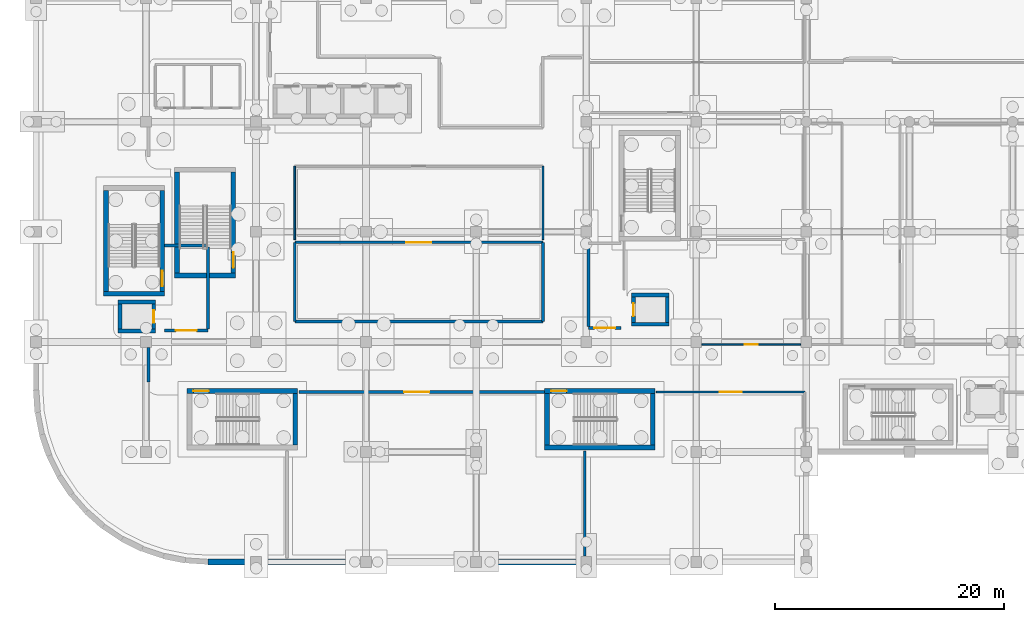
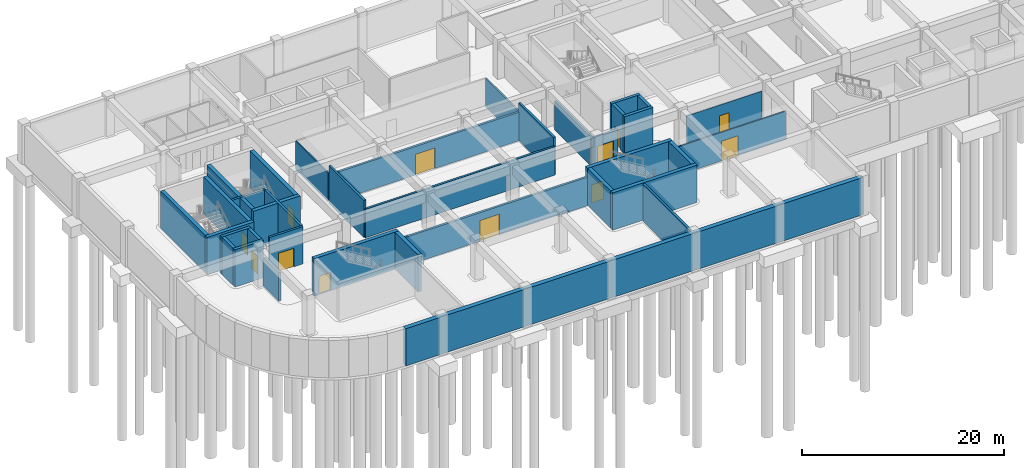
# One storey, part 13 of 47: 37 walls, 12 doors, 12 openings.
"""IFC4 building model written with IfcOpenShell, lengths in metres."""

from ifc_helpers import new_model, si_unit, direction, frame, frame_2d, origin, place, context, subcontext, project, spatial, rectangle, extrude, material, layer, layer_set, type_object, element, fill, save


model = new_model("IFC4")

# Units and contexts
model_context = context("Model", 3, precision=1e-05, world=origin(), true_north=direction((0.0, 1.0)))
body_context = subcontext(model_context, "Body", "Model", "MODEL_VIEW")
ifc_project = project(units=[si_unit("LENGTHUNIT", "METRE"), si_unit("AREAUNIT", "SQUARE_METRE"), si_unit("VOLUMEUNIT", "CUBIC_METRE"), si_unit("PLANEANGLEUNIT", "RADIAN"), si_unit("MASSUNIT", "GRAM", prefix="KILO")], contexts=[model_context])

# Site, building, storey
site_placement = place(None, origin())
site = spatial("IfcSite", under=ifc_project, at=site_placement, CompositionType="ELEMENT")
building_placement = place(site_placement, origin())
building = spatial("IfcBuilding", under=site, at=building_placement, Name="Cendralis Terraced Arcade", CompositionType="ELEMENT")
storey_placement = place(building_placement, frame((0.0, 0.0, -4.800048828125)))
storey = spatial("IfcBuildingStorey", under=building, at=storey_placement, Name="B1", CompositionType="ELEMENT", Elevation=-4.800048828125)

# Walls
ifc_material_1 = material(Name="Concrete f'c 42 MPa", Category="concrete")
ifc_layer_1 = layer(ifc_material_1, 0.340087890625, Name="WL-CORE-340")
ifc_layer_set_1 = layer_set([ifc_layer_1], Name="Concrete f'c 42 MPa")
wall_type_1 = type_object("IfcWallType", Name="WL-CORE-340", PredefinedType="SHEAR", material=ifc_layer_set_1)
for number, where, z_axis, x_axis, name in (
    (1, (7.159912109375, 20.1298828125, 0.0), (0.0, 0.0, 1.0), (1.0, 0.0, 0.0), "Lift FFL-01 Reinforced Concrete Shaft Wall (B1)"),
    (2, (7.159912109375, 22.669921875, 0.0), (0.0, 0.0, 1.0), (1.0, 0.0, 0.0), "Lift FFL-01 Reinforced Concrete Shaft Wall (B1)"),
):
    element("IfcWall", number, at=place(storey_placement, frame(where, z_axis=z_axis, x_axis=x_axis)), inside=storey, type_object=wall_type_1, Name=name, PredefinedType="SHEAR", context=body_context, shape_type="SweptSolid", body=[
        extrude(rectangle(XDim=3.280029296875, YDim=0.340087890625, at=frame_2d((1.64013671875, 0.0))), origin(), (0.0, 0.0, 1.0), 4.5),
    ])
wall_1_placement = place(storey_placement, frame((7.330078125, 20.300048828125, 0.0), z_axis=(0.0, 0.0, 1.0), x_axis=(0.0, 1.0, 0.0)))
element("IfcWall", 3, at=wall_1_placement, inside=storey, type_object=wall_type_1, Name="Lift FFL-01 Reinforced Concrete Shaft Wall (B1)", PredefinedType="SHEAR", context=body_context, shape_type="SweptSolid", body=[
    extrude(rectangle(XDim=2.199951171875, YDim=0.340087890625, at=frame_2d((1.10009765625, 0.0))), origin(), (0.0, 0.0, 1.0), 4.5),
])

# Wall, opening, door
wall_2_placement = place(storey_placement, frame((10.27001953125, 20.300048828125, 0.0), z_axis=(0.0, 0.0, 1.0), x_axis=(0.0, 1.0, 0.0)))
wall_2 = element("IfcWall", 4, at=wall_2_placement, inside=storey, type_object=wall_type_1, Name="Lift FFL-01 Reinforced Concrete Shaft Wall (B1)", PredefinedType="SHEAR", context=body_context, shape_type="SweptSolid", body=[
    extrude(rectangle(XDim=2.199951171875, YDim=0.340087890625, at=frame_2d((1.10009765625, 0.0))), origin(), (0.0, 0.0, 1.0), 4.5),
])
opening_1_placement = place(wall_2_placement, frame((0.550048828125, 0.0, 0.0)))
opening_1 = element("IfcOpeningElement", 5, at=opening_1_placement, cuts=wall_2, Name="Opening LD-FFL-01-B1", PredefinedType="OPENING", context=body_context, shape_type="SweptSolid", body=[
    extrude(rectangle(XDim=1.10009765625, YDim=2.14990234375, at=frame_2d((0.550048828125, 1.074951171875))), frame((0.0, 0.18212890625, 0.0), z_axis=(0.0, -1.0, 0.0), x_axis=(1.0, 0.0, 0.0)), (0.0, 0.0, 1.0), 0.364013671875),
])
ifc_material_2 = material(Name="Anodised aluminium sliding door assembly", Category="aluminium")
door_type_1 = type_object("IfcDoorType", Name="ID-LD-FF-1100x2150", OperationType="DOUBLE_DOOR_SLIDING", PredefinedType="DOOR", material=ifc_material_2)
door_1_placement = place(opening_1_placement, origin())
door_1 = element("IfcDoor", 6, at=door_1_placement, inside=storey, type_object=door_type_1, Name="Lift FFL-01 Sliding Landing Door (B1)", OperationType="DOUBLE_DOOR_SLIDING", OverallHeight=2.14990234375, OverallWidth=1.10009765625, PredefinedType="DOOR", context=body_context, shape_type="SweptSolid", body=[
    extrude(rectangle(XDim=1.10009765625, YDim=2.14990234375, at=frame_2d((0.550048828125, 1.074951171875))), frame((0.0, 0.02490234375, 0.0), z_axis=(0.0, -1.0, 0.0), x_axis=(1.0, 0.0, 0.0)), (0.0, 0.0, 1.0), 0.050048828125),
])
fill(opening_1, door_1)

# Walls
for number, where, z_axis, x_axis, name in (
    (7, (51.9599609375, 20.72998046875, 0.0), (0.0, 0.0, 1.0), (1.0, 0.0, 0.0), "Lift FFL-02 Reinforced Concrete Shaft Wall (B1)"),
    (8, (51.9599609375, 23.27001953125, 0.0), (0.0, 0.0, 1.0), (1.0, 0.0, 0.0), "Lift FFL-02 Reinforced Concrete Shaft Wall (B1)"),
):
    element("IfcWall", number, at=place(storey_placement, frame(where, z_axis=z_axis, x_axis=x_axis)), inside=storey, type_object=wall_type_1, Name=name, PredefinedType="SHEAR", context=body_context, shape_type="SweptSolid", body=[
        extrude(rectangle(XDim=3.280029296875, YDim=0.340087890625, at=frame_2d((1.64013671875, 0.0))), origin(), (0.0, 0.0, 1.0), 4.5),
    ])

# Wall, opening, door
wall_3_placement = place(storey_placement, frame((52.1298828125, 20.89990234375, 0.0), z_axis=(0.0, 0.0, 1.0), x_axis=(0.0, 1.0, 0.0)))
wall_3 = element("IfcWall", 9, at=wall_3_placement, inside=storey, type_object=wall_type_1, Name="Lift FFL-02 Reinforced Concrete Shaft Wall (B1)", PredefinedType="SHEAR", context=body_context, shape_type="SweptSolid", body=[
    extrude(rectangle(XDim=2.2001953125, YDim=0.340087890625, at=frame_2d((1.10009765625, 0.0))), origin(), (0.0, 0.0, 1.0), 4.5),
])
opening_2_placement = place(wall_3_placement, frame((0.550048828125, 0.0, 0.0)))
opening_2 = element("IfcOpeningElement", 10, at=opening_2_placement, cuts=wall_3, Name="Opening LD-FFL-02-B1", PredefinedType="OPENING", context=body_context, shape_type="SweptSolid", body=[
    extrude(rectangle(XDim=1.10009765625, YDim=2.14990234375, at=frame_2d((0.550048828125, 1.074951171875))), frame((0.0, 0.18212890625, 0.0), z_axis=(0.0, -1.0, 0.0), x_axis=(1.0, 0.0, 0.0)), (0.0, 0.0, 1.0), 0.364013671875),
])
door_2_placement = place(opening_2_placement, origin())
door_2 = element("IfcDoor", 11, at=door_2_placement, inside=storey, type_object=door_type_1, Name="Lift FFL-02 Sliding Landing Door (B1)", OperationType="DOUBLE_DOOR_SLIDING", OverallHeight=2.14990234375, OverallWidth=1.10009765625, PredefinedType="DOOR", context=body_context, shape_type="SweptSolid", body=[
    extrude(rectangle(XDim=1.10009765625, YDim=2.14990234375, at=frame_2d((0.550048828125, 1.074951171875))), frame((0.0, 0.02490234375, 0.0), z_axis=(0.0, -1.0, 0.0), x_axis=(1.0, 0.0, 0.0)), (0.0, 0.0, 1.0), 0.050048828125),
])
fill(opening_2, door_2)

# Walls
wall_4_placement = place(storey_placement, frame((55.070068359375, 20.89990234375, 0.0), z_axis=(0.0, 0.0, 1.0), x_axis=(0.0, 1.0, 0.0)))
element("IfcWall", 12, at=wall_4_placement, inside=storey, type_object=wall_type_1, Name="Lift FFL-02 Reinforced Concrete Shaft Wall (B1)", PredefinedType="SHEAR", context=body_context, shape_type="SweptSolid", body=[
    extrude(rectangle(XDim=2.2001953125, YDim=0.340087890625, at=frame_2d((1.10009765625, 0.0))), origin(), (0.0, 0.0, 1.0), 4.5),
])
ifc_layer_2 = layer(ifc_material_1, 0.419921875, Name="WL-CORE-420")
ifc_layer_set_2 = layer_set([ifc_layer_2], Name="Concrete f'c 42 MPa")
wall_type_2 = type_object("IfcWallType", Name="WL-CORE-420", PredefinedType="SHEAR", material=ifc_layer_set_2)
wall_5_placement = place(storey_placement, frame((5.8798828125, 23.389892578125, 0.0), z_axis=(0.0, 0.0, 1.0), x_axis=(1.0, 0.0, 0.0)))
element("IfcWall", 13, at=wall_5_placement, inside=storey, type_object=wall_type_2, Name="Stair Core Reinforced Concrete Shear Wall SW-ST-01-B1-S", PredefinedType="SHEAR", context=body_context, shape_type="SweptSolid", body=[
    extrude(rectangle(XDim=5.340087890625, YDim=0.419921875, at=frame_2d((2.669921875, 0.0))), origin(), (0.0, 0.0, 1.0), 4.5),
])

# Wall, opening, door
wall_6_placement = place(storey_placement, frame((11.010009765625, 23.60009765625, 0.0), z_axis=(0.0, 0.0, 1.0), x_axis=(0.0, 1.0, 0.0)))
wall_6 = element("IfcWall", 14, at=wall_6_placement, inside=storey, type_object=wall_type_2, Name="Stair Core Reinforced Concrete Shear Wall SW-ST-01-B1-E", PredefinedType="SHEAR", context=body_context, shape_type="SweptSolid", body=[
    extrude(rectangle(XDim=8.7998046875, YDim=0.419921875, at=frame_2d((4.39990234375, 0.0))), origin(), (0.0, 0.0, 1.0), 4.5),
])
opening_3_placement = place(wall_6_placement, frame((0.449951171875, 0.0, 0.0)))
opening_3 = element("IfcOpeningElement", 15, at=opening_3_placement, cuts=wall_6, Name="Opening D-ST-01-B1", PredefinedType="OPENING", context=body_context, shape_type="SweptSolid", body=[
    extrude(rectangle(XDim=1.35009765625, YDim=2.199951171875, at=frame_2d((0.675048828125, 1.10009765625))), frame((0.0, 0.221923828125, 0.0), z_axis=(0.0, -1.0, 0.0), x_axis=(1.0, 0.0, 0.0)), (0.0, 0.0, 1.0), 0.44384765625),
])
ifc_material_3 = material(Name="Galvanised fire-rated steel door assembly", Category="steel")
door_type_2 = type_object("IfcDoorType", Name="ID-ST-1350x2200", OperationType="NOTDEFINED", PredefinedType="DOOR", material=ifc_material_3)
door_3_placement = place(opening_3_placement, origin())
door_3 = element("IfcDoor", 16, at=door_3_placement, inside=storey, type_object=door_type_2, Name="Protected Stair ST-01 Fire Door (B1)", OperationType="SINGLE_SWING_RIGHT", OverallHeight=2.199951171875, OverallWidth=1.35009765625, PredefinedType="DOOR", context=body_context, shape_type="SweptSolid", body=[
    extrude(rectangle(XDim=1.35009765625, YDim=2.199951171875, at=frame_2d((0.675048828125, 1.10009765625))), frame((0.0, 0.02490234375, 0.0), z_axis=(0.0, -1.0, 0.0), x_axis=(1.0, 0.0, 0.0)), (0.0, 0.0, 1.0), 0.050048828125),
])
fill(opening_3, door_3)

# Wall
wall_7_placement = place(storey_placement, frame((6.090087890625, 23.60009765625, 0.0), z_axis=(0.0, 0.0, 1.0), x_axis=(0.0, 1.0, 0.0)))
element("IfcWall", 17, at=wall_7_placement, inside=storey, type_object=wall_type_2, Name="Stair Core Reinforced Concrete Shear Wall SW-ST-01-B1-W", PredefinedType="SHEAR", context=body_context, shape_type="SweptSolid", body=[
    extrude(rectangle(XDim=8.7998046875, YDim=0.419921875, at=frame_2d((4.39990234375, 0.0))), origin(), (0.0, 0.0, 1.0), 4.5),
])

# Wall, opening, door
wall_8_placement = place(storey_placement, frame((13.179931640625, 14.909912109375, 0.0), z_axis=(0.0, 0.0, 1.0), x_axis=(1.0, 0.0, 0.0)))
wall_8 = element("IfcWall", 18, at=wall_8_placement, inside=storey, type_object=wall_type_2, Name="Stair Core Reinforced Concrete Shear Wall SW-ST-02-B1-N", PredefinedType="SHEAR", context=body_context, shape_type="SweptSolid", body=[
    extrude(rectangle(XDim=9.64013671875, YDim=0.419921875, at=frame_2d((4.820068359375, 0.0))), origin(), (0.0, 0.0, 1.0), 4.5),
])
opening_4_placement = place(wall_8_placement, frame((0.550048828125, 0.0, 0.0)))
opening_4 = element("IfcOpeningElement", 19, at=opening_4_placement, cuts=wall_8, Name="Opening D-ST-02-B1", PredefinedType="OPENING", context=body_context, shape_type="SweptSolid", body=[
    extrude(rectangle(XDim=1.35009765625, YDim=2.199951171875, at=frame_2d((0.675048828125, 1.10009765625))), frame((0.0, 0.221923828125, 0.0), z_axis=(0.0, -1.0, 0.0), x_axis=(1.0, 0.0, 0.0)), (0.0, 0.0, 1.0), 0.44384765625),
])
door_4_placement = place(opening_4_placement, frame((1.35009765625, 0.0, 0.0), z_axis=(0.0, 0.0, 1.0), x_axis=(-1.0, 0.0, 0.0)))
door_4 = element("IfcDoor", 20, at=door_4_placement, inside=storey, type_object=door_type_2, Name="Protected Stair ST-02 Fire Door (B1)", OperationType="SINGLE_SWING_LEFT", OverallHeight=2.199951171875, OverallWidth=1.35009765625, PredefinedType="DOOR", context=body_context, shape_type="SweptSolid", body=[
    extrude(rectangle(XDim=1.35009765625, YDim=2.199951171875, at=frame_2d((0.675048828125, 1.10009765625))), frame((0.0, 0.02490234375, 0.0), z_axis=(0.0, -1.0, 0.0), x_axis=(1.0, 0.0, 0.0)), (0.0, 0.0, 1.0), 0.050048828125),
])
fill(opening_4, door_4)

# Walls
wall_9_placement = place(storey_placement, frame((22.610107421875, 10.199951171875, 0.0), z_axis=(0.0, 0.0, 1.0), x_axis=(0.0, 1.0, 0.0)))
element("IfcWall", 21, at=wall_9_placement, inside=storey, type_object=wall_type_2, Name="Stair Core Reinforced Concrete Shear Wall SW-ST-02-B1-E", PredefinedType="SHEAR", context=body_context, shape_type="SweptSolid", body=[
    extrude(rectangle(XDim=4.5, YDim=0.419921875, at=frame_2d((2.25, 0.0))), origin(), (0.0, 0.0, 1.0), 4.5),
])
wall_10_placement = place(storey_placement, frame((44.3798828125, 9.989990234375, 0.0), z_axis=(0.0, 0.0, 1.0), x_axis=(1.0, 0.0, 0.0)))
element("IfcWall", 22, at=wall_10_placement, inside=storey, type_object=wall_type_2, Name="Stair Core Reinforced Concrete Shear Wall SW-ST-03-B1-S", PredefinedType="SHEAR", context=body_context, shape_type="SweptSolid", body=[
    extrude(rectangle(XDim=9.64013671875, YDim=0.419921875, at=frame_2d((4.820068359375, 0.0))), origin(), (0.0, 0.0, 1.0), 4.5),
])

# Wall, opening, door
wall_11_placement = place(storey_placement, frame((44.3798828125, 14.909912109375, 0.0), z_axis=(0.0, 0.0, 1.0), x_axis=(1.0, 0.0, 0.0)))
wall_11 = element("IfcWall", 23, at=wall_11_placement, inside=storey, type_object=wall_type_2, Name="Stair Core Reinforced Concrete Shear Wall SW-ST-03-B1-N", PredefinedType="SHEAR", context=body_context, shape_type="SweptSolid", body=[
    extrude(rectangle(XDim=9.64013671875, YDim=0.419921875, at=frame_2d((4.820068359375, 0.0))), origin(), (0.0, 0.0, 1.0), 4.5),
])
opening_5_placement = place(wall_11_placement, frame((0.550048828125, 0.0, 0.0)))
opening_5 = element("IfcOpeningElement", 24, at=opening_5_placement, cuts=wall_11, Name="Opening D-ST-03-B1", PredefinedType="OPENING", context=body_context, shape_type="SweptSolid", body=[
    extrude(rectangle(XDim=1.35009765625, YDim=2.199951171875, at=frame_2d((0.675048828125, 1.10009765625))), frame((0.0, 0.221923828125, 0.0), z_axis=(0.0, -1.0, 0.0), x_axis=(1.0, 0.0, 0.0)), (0.0, 0.0, 1.0), 0.44384765625),
])
door_5_placement = place(opening_5_placement, frame((1.35009765625, 0.0, 0.0), z_axis=(0.0, 0.0, 1.0), x_axis=(-1.0, 0.0, 0.0)))
door_5 = element("IfcDoor", 25, at=door_5_placement, inside=storey, type_object=door_type_2, Name="Protected Stair ST-03 Fire Door (B1)", OperationType="SINGLE_SWING_RIGHT", OverallHeight=2.199951171875, OverallWidth=1.35009765625, PredefinedType="DOOR", context=body_context, shape_type="SweptSolid", body=[
    extrude(rectangle(XDim=1.35009765625, YDim=2.199951171875, at=frame_2d((0.675048828125, 1.10009765625))), frame((0.0, 0.02490234375, 0.0), z_axis=(0.0, -1.0, 0.0), x_axis=(1.0, 0.0, 0.0)), (0.0, 0.0, 1.0), 0.050048828125),
])
fill(opening_5, door_5)

# Walls
for number, where, z_axis, x_axis, name in (
    (26, (53.81005859375, 10.199951171875, 0.0), (0.0, 0.0, 1.0), (0.0, 1.0, 0.0), "Stair Core Reinforced Concrete Shear Wall SW-ST-03-B1-E"),
    (27, (44.590087890625, 10.199951171875, 0.0), (0.0, 0.0, 1.0), (0.0, 1.0, 0.0), "Stair Core Reinforced Concrete Shear Wall SW-ST-03-B1-W"),
):
    element("IfcWall", number, at=place(storey_placement, frame(where, z_axis=z_axis, x_axis=x_axis)), inside=storey, type_object=wall_type_2, Name=name, PredefinedType="SHEAR", context=body_context, shape_type="SweptSolid", body=[
        extrude(rectangle(XDim=4.5, YDim=0.419921875, at=frame_2d((2.25, 0.0))), origin(), (0.0, 0.0, 1.0), 4.5),
    ])
wall_12_placement = place(storey_placement, frame((12.080078125, 24.989990234375, 0.0), z_axis=(0.0, 0.0, 1.0), x_axis=(1.0, 0.0, 0.0)))
element("IfcWall", 28, at=wall_12_placement, inside=storey, type_object=wall_type_2, Name="Stair Core Reinforced Concrete Shear Wall SW-ST-05-B1-S", PredefinedType="SHEAR", context=body_context, shape_type="SweptSolid", body=[
    extrude(rectangle(XDim=5.33984375, YDim=0.419921875, at=frame_2d((2.669921875, 0.0))), origin(), (0.0, 0.0, 1.0), 4.5),
])

# Wall, opening, door
wall_13_placement = place(storey_placement, frame((17.2099609375, 25.199951171875, 0.0), z_axis=(0.0, 0.0, 1.0), x_axis=(0.0, 1.0, 0.0)))
wall_13 = element("IfcWall", 29, at=wall_13_placement, inside=storey, type_object=wall_type_2, Name="Stair Core Reinforced Concrete Shear Wall SW-ST-05-B1-E", PredefinedType="SHEAR", context=body_context, shape_type="SweptSolid", body=[
    extrude(rectangle(XDim=8.800048828125, YDim=0.419921875, at=frame_2d((4.39990234375, 0.0))), origin(), (0.0, 0.0, 1.0), 4.5),
])
opening_6_placement = place(wall_13_placement, frame((0.449951171875, 0.0, 0.0)))
opening_6 = element("IfcOpeningElement", 30, at=opening_6_placement, cuts=wall_13, Name="Opening D-ST-05-B1", PredefinedType="OPENING", context=body_context, shape_type="SweptSolid", body=[
    extrude(rectangle(XDim=1.35009765625, YDim=2.199951171875, at=frame_2d((0.675048828125, 1.10009765625))), frame((0.0, 0.221923828125, 0.0), z_axis=(0.0, -1.0, 0.0), x_axis=(1.0, 0.0, 0.0)), (0.0, 0.0, 1.0), 0.44384765625),
])
door_6_placement = place(opening_6_placement, origin())
door_6 = element("IfcDoor", 31, at=door_6_placement, inside=storey, type_object=door_type_2, Name="Protected Stair ST-05 Fire Door (B1)", OperationType="SINGLE_SWING_LEFT", OverallHeight=2.199951171875, OverallWidth=1.35009765625, PredefinedType="DOOR", context=body_context, shape_type="SweptSolid", body=[
    extrude(rectangle(XDim=1.35009765625, YDim=2.199951171875, at=frame_2d((0.675048828125, 1.10009765625))), frame((0.0, 0.02490234375, 0.0), z_axis=(0.0, -1.0, 0.0), x_axis=(1.0, 0.0, 0.0)), (0.0, 0.0, 1.0), 0.050048828125),
])
fill(opening_6, door_6)

# Wall
wall_14_placement = place(storey_placement, frame((12.2900390625, 25.199951171875, 0.0), z_axis=(0.0, 0.0, 1.0), x_axis=(0.0, 1.0, 0.0)))
element("IfcWall", 32, at=wall_14_placement, inside=storey, type_object=wall_type_2, Name="Stair Core Reinforced Concrete Shear Wall SW-ST-05-B1-W", PredefinedType="SHEAR", context=body_context, shape_type="SweptSolid", body=[
    extrude(rectangle(XDim=8.800048828125, YDim=0.419921875, at=frame_2d((4.39990234375, 0.0))), origin(), (0.0, 0.0, 1.0), 4.5),
])

# Wall, opening, door
ifc_material_4 = material(Name="Autoclaved aerated concrete blockwork", Category="masonry")
ifc_layer_3 = layer(ifc_material_4, 0.25, Name="WL-FFL-250")
ifc_layer_set_3 = layer_set([ifc_layer_3], Name="Autoclaved aerated concrete blockwork")
wall_type_3 = type_object("IfcWallType", Name="WL-FFL-250", PredefinedType="PARTITIONING", material=ifc_layer_set_3)
wall_15_placement = place(storey_placement, frame((11.199951171875, 20.199951171875, 0.0), z_axis=(0.0, 0.0, 1.0), x_axis=(1.0, 0.0, 0.0)))
wall_15 = element("IfcWall", 33, at=wall_15_placement, inside=storey, type_object=wall_type_3, Name="Firefighting Lift Lobby FFL-01 Rated Wall S (B1)", PredefinedType="PARTITIONING", context=body_context, shape_type="SweptSolid", body=[
    extrude(rectangle(XDim=3.800048828125, YDim=0.25, at=frame_2d((1.89990234375, 0.0))), origin(), (0.0, 0.0, 1.0), 4.5),
])
opening_7_placement = place(wall_15_placement, frame((1.0, 0.0, 0.0)))
opening_7 = element("IfcOpeningElement", 34, at=opening_7_placement, cuts=wall_15, Name="Opening D-FFL-01-B1-S", PredefinedType="OPENING", context=body_context, shape_type="SweptSolid", body=[
    extrude(rectangle(XDim=1.800048828125, YDim=2.25, at=frame_2d((0.89990234375, 1.125))), frame((0.0, 0.136962890625, 0.0), z_axis=(0.0, -1.0, 0.0), x_axis=(1.0, 0.0, 0.0)), (0.0, 0.0, 1.0), 0.27392578125),
])
door_type_3 = type_object("IfcDoorType", Name="ID-FFL-1800x2250", OperationType="DOUBLE_DOOR_SINGLE_SWING", PredefinedType="DOOR", material=ifc_material_3)
door_7_placement = place(opening_7_placement, origin())
door_7 = element("IfcDoor", 35, at=door_7_placement, inside=storey, type_object=door_type_3, Name="Firefighting Lift Lobby FFL-01 Rated Double Door (B1)", OperationType="DOUBLE_DOOR_SINGLE_SWING", OverallHeight=2.25, OverallWidth=1.800048828125, PredefinedType="DOOR", context=body_context, shape_type="SweptSolid", body=[
    extrude(rectangle(XDim=1.800048828125, YDim=2.25, at=frame_2d((0.89990234375, 1.125))), frame((0.0, 0.02490234375, 0.0), z_axis=(0.0, -1.0, 0.0), x_axis=(1.0, 0.0, 0.0)), (0.0, 0.0, 1.0), 0.050048828125),
])
fill(opening_7, door_7)

# Walls
wall_16_placement = place(storey_placement, frame((11.199951171875, 27.60009765625, 0.0), z_axis=(0.0, 0.0, 1.0), x_axis=(1.0, 0.0, 0.0)))
element("IfcWall", 36, at=wall_16_placement, inside=storey, type_object=wall_type_3, Name="Firefighting Lift Lobby FFL-01 Rated Wall N (B1)", PredefinedType="PARTITIONING", context=body_context, shape_type="SweptSolid", body=[
    extrude(rectangle(XDim=3.800048828125, YDim=0.25, at=frame_2d((1.89990234375, 0.0))), origin(), (0.0, 0.0, 1.0), 4.5),
])
wall_17_placement = place(storey_placement, frame((15.0, 20.330078125, 0.0), z_axis=(0.0, 0.0, 1.0), x_axis=(0.0, 1.0, 0.0)))
element("IfcWall", 37, at=wall_17_placement, inside=storey, type_object=wall_type_3, Name="Firefighting Lift Lobby FFL-01 Rated Wall E (B1)", PredefinedType="PARTITIONING", context=body_context, shape_type="SweptSolid", body=[
    extrude(rectangle(XDim=7.139892578125, YDim=0.25, at=frame_2d((3.56982421875, 0.0))), origin(), (0.0, 0.0, 1.0), 4.5),
])

# Wall, opening, door
wall_18_placement = place(storey_placement, frame((48.199951171875, 20.39990234375, 0.0), z_axis=(0.0, 0.0, 1.0), x_axis=(1.0, 0.0, 0.0)))
wall_18 = element("IfcWall", 38, at=wall_18_placement, inside=storey, type_object=wall_type_3, Name="Firefighting Lift Lobby FFL-02 Rated Wall S (B1)", PredefinedType="PARTITIONING", context=body_context, shape_type="SweptSolid", body=[
    extrude(rectangle(XDim=2.85009765625, YDim=0.25, at=frame_2d((1.425048828125, 0.0))), origin(), (0.0, 0.0, 1.0), 3.43994140625),
])
opening_8_placement = place(wall_18_placement, frame((0.52001953125, 0.0, 0.0)))
opening_8 = element("IfcOpeningElement", 39, at=opening_8_placement, cuts=wall_18, Name="Opening D-FFL-02-B1-S", PredefinedType="OPENING", context=body_context, shape_type="SweptSolid", body=[
    extrude(rectangle(XDim=1.800048828125, YDim=2.25, at=frame_2d((0.89990234375, 1.125))), frame((0.0, 0.136962890625, 0.0), z_axis=(0.0, -1.0, 0.0), x_axis=(1.0, 0.0, 0.0)), (0.0, 0.0, 1.0), 0.27392578125),
])
door_8_placement = place(opening_8_placement, origin())
door_8 = element("IfcDoor", 40, at=door_8_placement, inside=storey, type_object=door_type_3, Name="Firefighting Lift Lobby FFL-02 Rated Double Door (B1)", OperationType="DOUBLE_DOOR_SINGLE_SWING", OverallHeight=2.25, OverallWidth=1.800048828125, PredefinedType="DOOR", context=body_context, shape_type="SweptSolid", body=[
    extrude(rectangle(XDim=1.800048828125, YDim=2.25, at=frame_2d((0.89990234375, 1.125))), frame((0.0, 0.02490234375, 0.0), z_axis=(0.0, -1.0, 0.0), x_axis=(1.0, 0.0, 0.0)), (0.0, 0.0, 1.0), 0.050048828125),
])
fill(opening_8, door_8)

# Wall
wall_19_placement = place(storey_placement, frame((48.199951171875, 20.530029296875, 0.0), z_axis=(0.0, 0.0, 1.0), x_axis=(0.0, 1.0, 0.0)))
element("IfcWall", 41, at=wall_19_placement, inside=storey, type_object=wall_type_3, Name="Firefighting Lift Lobby FFL-02 Rated Wall W (B1)", PredefinedType="PARTITIONING", context=body_context, shape_type="SweptSolid", body=[
    extrude(rectangle(XDim=7.139892578125, YDim=0.25, at=frame_2d((3.56982421875, 0.0))), origin(), (0.0, 0.0, 1.0), 3.43994140625),
])

# Wall, opening, door
ifc_layer_4 = layer(ifc_material_4, 0.235107421875, Name="WL-FIRE-235")
ifc_layer_set_4 = layer_set([ifc_layer_4], Name="Autoclaved aerated concrete blockwork")
wall_type_4 = type_object("IfcWallType", Name="WL-FIRE-235", PredefinedType="PARTITIONING", material=ifc_layer_set_4)
wall_20_placement = place(storey_placement, frame((22.580078125, 27.8798828125, 0.0), z_axis=(0.0, 0.0, 1.0), x_axis=(1.0, 0.0, 0.0)))
wall_20 = element("IfcWall", 42, at=wall_20_placement, inside=storey, type_object=wall_type_4, Name="Interior Partition Wall IW-B1-0096", PredefinedType="PARTITIONING", context=body_context, shape_type="SweptSolid", body=[
    extrude(rectangle(XDim=21.639892578125, YDim=0.235107421875, at=frame_2d((10.81982421875, 0.0))), origin(), (0.0, 0.0, 1.0), 3.43994140625),
])
opening_9_placement = place(wall_20_placement, frame((9.719970703125, 0.0, 0.0)))
opening_9 = element("IfcOpeningElement", 43, at=opening_9_placement, cuts=wall_20, Name="Opening D-B1-035", PredefinedType="OPENING", context=body_context, shape_type="SweptSolid", body=[
    extrude(rectangle(XDim=2.199951171875, YDim=2.5, at=frame_2d((1.10009765625, 1.25))), frame((0.0, 0.12939453125, 0.0), z_axis=(0.0, -1.0, 0.0), x_axis=(1.0, 0.0, 0.0)), (0.0, 0.0, 1.0), 0.259033203125),
])
door_type_4 = type_object("IfcDoorType", Name="ID-STK-2200x2500", OperationType="DOUBLE_DOOR_SINGLE_SWING", PredefinedType="DOOR", material=ifc_material_3)
door_9_placement = place(opening_9_placement, origin())
door_9 = element("IfcDoor", 44, at=door_9_placement, inside=storey, type_object=door_type_4, Name="Central Stockrooms and Automated Picking - West Stockroom Door D-B1-035", OperationType="DOUBLE_DOOR_SINGLE_SWING", OverallHeight=2.5, OverallWidth=2.199951171875, PredefinedType="DOOR", context=body_context, shape_type="SweptSolid", body=[
    extrude(rectangle(XDim=2.199951171875, YDim=2.5, at=frame_2d((1.10009765625, 1.25))), frame((0.0, 0.02490234375, 0.0), z_axis=(0.0, -1.0, 0.0), x_axis=(1.0, 0.0, 0.0)), (0.0, 0.0, 1.0), 0.050048828125),
])
fill(opening_9, door_9)

# Walls
wall_21_placement = place(storey_placement, frame((44.219970703125, 20.97998046875, 0.0), z_axis=(0.0, 0.0, 1.0), x_axis=(-1.0, 0.0, 0.0)))
element("IfcWall", 45, at=wall_21_placement, inside=storey, type_object=wall_type_4, Name="Interior Partition Wall IW-B1-0097", PredefinedType="PARTITIONING", context=body_context, shape_type="SweptSolid", body=[
    extrude(rectangle(XDim=21.639892578125, YDim=0.235107421875, at=frame_2d((10.81982421875, 0.0))), origin(), (0.0, 0.0, 1.0), 3.43994140625),
])
for number, where, z_axis, x_axis, name in (
    (46, (22.580078125, 20.97998046875, 0.0), (0.0, 0.0, 1.0), (0.0, 1.0, 0.0), "Interior Partition Wall IW-B1-0098"),
    (47, (44.219970703125, 27.8798828125, 0.0), (0.0, 0.0, 1.0), (0.0, -1.0, 0.0), "Interior Partition Wall IW-B1-0099"),
):
    element("IfcWall", number, at=place(storey_placement, frame(where, z_axis=z_axis, x_axis=x_axis)), inside=storey, type_object=wall_type_4, Name=name, PredefinedType="PARTITIONING", context=body_context, shape_type="SweptSolid", body=[
        extrude(rectangle(XDim=6.89990234375, YDim=0.235107421875, at=frame_2d((3.449951171875, 0.0))), origin(), (0.0, 0.0, 1.0), 4.5),
    ])

# Wall, opening, door
ifc_layer_5 = layer(ifc_material_4, 0.241943359375, Name="WL-FIRE-242")
ifc_layer_set_5 = layer_set([ifc_layer_5], Name="Autoclaved aerated concrete blockwork")
wall_type_5 = type_object("IfcWallType", Name="WL-FIRE-242", PredefinedType="PARTITIONING", material=ifc_layer_set_5)
wall_22_placement = place(storey_placement, frame((22.926025390625, 14.820068359375, 0.0), z_axis=(0.0, 0.0, 1.0), x_axis=(1.0, 0.0, 0.0)))
wall_22 = element("IfcWall", 48, at=wall_22_placement, inside=storey, type_object=wall_type_5, Name="Interior Partition Wall IW-B1-0094", PredefinedType="PARTITIONING", context=body_context, shape_type="SweptSolid", body=[
    extrude(rectangle(XDim=21.453857421875, YDim=0.241943359375, at=frame_2d((10.72705078125, 0.0))), origin(), (0.0, 0.0, 1.0), 3.43994140625),
])
opening_10_placement = place(wall_22_placement, frame((9.17919921875, 0.0, 0.0)))
opening_10 = element("IfcOpeningElement", 49, at=opening_10_placement, cuts=wall_22, Name="Opening D-B1-034", PredefinedType="OPENING", context=body_context, shape_type="SweptSolid", body=[
    extrude(rectangle(XDim=2.199951171875, YDim=2.5, at=frame_2d((1.10009765625, 1.25))), frame((0.0, 0.1328125, 0.0), z_axis=(0.0, -1.0, 0.0), x_axis=(1.0, 0.0, 0.0)), (0.0, 0.0, 1.0), 0.265869140625),
])
door_10_placement = place(opening_10_placement, origin())
door_10 = element("IfcDoor", 50, at=door_10_placement, inside=storey, type_object=door_type_4, Name="Central Stockrooms and Automated Picking - West Stockroom Door D-B1-034", OperationType="DOUBLE_DOOR_SINGLE_SWING", OverallHeight=2.5, OverallWidth=2.199951171875, PredefinedType="DOOR", context=body_context, shape_type="SweptSolid", body=[
    extrude(rectangle(XDim=2.199951171875, YDim=2.5, at=frame_2d((1.10009765625, 1.25))), frame((0.0, 0.02490234375, 0.0), z_axis=(0.0, -1.0, 0.0), x_axis=(1.0, 0.0, 0.0)), (0.0, 0.0, 1.0), 0.050048828125),
])
fill(opening_10, door_10)

# Walls
wall_23_placement = place(storey_placement, frame((47.8798828125, 9.659912109375, 0.0), z_axis=(0.0, 0.0, 1.0), x_axis=(0.0, -1.0, 0.0)))
element("IfcWall", 51, at=wall_23_placement, inside=storey, type_object=wall_type_5, Name="Interior Partition Wall IW-B1-0095", PredefinedType="PARTITIONING", context=body_context, shape_type="SweptSolid", body=[
    extrude(rectangle(XDim=9.164794921875, YDim=0.241943359375, at=frame_2d((4.58251953125, 0.0))), origin(), (0.0, 0.0, 1.0), 4.5),
])
ifc_layer_6 = layer(ifc_material_4, 0.260009765625, Name="WL-FIRE-260")
ifc_layer_set_6 = layer_set([ifc_layer_6], Name="Autoclaved aerated concrete blockwork")
wall_type_6 = type_object("IfcWallType", Name="WL-FIRE-260", PredefinedType="PARTITIONING", material=ifc_layer_set_6)
wall_24_placement = place(storey_placement, frame((9.820068359375, 18.72509765625, 0.0), z_axis=(0.0, 0.0, 1.0), x_axis=(0.0, -1.0, 0.0)))
element("IfcWall", 52, at=wall_24_placement, inside=storey, type_object=wall_type_6, Name="Interior Partition Wall IW-B1-0090", PredefinedType="PARTITIONING", context=body_context, shape_type="SweptSolid", body=[
    extrude(rectangle(XDim=3.045166015625, YDim=0.260009765625, at=frame_2d((1.5224609375, 0.0))), origin(), (0.0, 0.0, 1.0), 3.43994140625),
])

# Wall, opening, door
ifc_material_5 = material(Name="Gypsum plasterboard acoustic partition", Category="concrete")
ifc_layer_7 = layer(ifc_material_5, 0.1298828125, Name="WL-PART-130")
ifc_layer_set_7 = layer_set([ifc_layer_7], Name="Gypsum plasterboard acoustic partition")
wall_type_7 = type_object("IfcWallType", Name="WL-PART-130", PredefinedType="PARTITIONING", material=ifc_layer_set_7)
wall_25_placement = place(storey_placement, frame((66.705078125, 18.97998046875, 0.0), z_axis=(0.0, 0.0, 1.0), x_axis=(-1.0, 0.0, 0.0)))
wall_25 = element("IfcWall", 53, at=wall_25_placement, inside=storey, type_object=wall_type_7, Name="Interior Partition Wall IW-B1-0117", PredefinedType="PARTITIONING", context=body_context, shape_type="SweptSolid", body=[
    extrude(rectangle(XDim=8.610107421875, YDim=0.1298828125, at=frame_2d((4.30517578125, 0.0))), origin(), (0.0, 0.0, 1.0), 3.43994140625),
])
opening_11_placement = place(wall_25_placement, frame((3.7548828125, 0.0, 0.0)))
opening_11 = element("IfcOpeningElement", 54, at=opening_11_placement, cuts=wall_25, Name="Opening D-B1-040", PredefinedType="OPENING", context=body_context, shape_type="SweptSolid", body=[
    extrude(rectangle(XDim=1.10009765625, YDim=2.14990234375, at=frame_2d((0.550048828125, 1.074951171875))), frame((0.0, 0.076904296875, 0.0), z_axis=(0.0, -1.0, 0.0), x_axis=(1.0, 0.0, 0.0)), (0.0, 0.0, 1.0), 0.15380859375),
])
ifc_material_6 = material(Name="Solid core Andean oak veneer door leaf", Category="aluminium")
door_type_5 = type_object("IfcDoorType", Name="ID-RM-1100x2150", OperationType="NOTDEFINED", PredefinedType="DOOR", material=ifc_material_6)
door_11_placement = place(opening_11_placement, origin())
door_11 = element("IfcDoor", 55, at=door_11_placement, inside=storey, type_object=door_type_5, Name="Specialty Supermarket and Wine Cellar - West Annex Door D-B1-040", OperationType="SINGLE_SWING_RIGHT", OverallHeight=2.14990234375, OverallWidth=1.10009765625, PredefinedType="DOOR", context=body_context, shape_type="SweptSolid", body=[
    extrude(rectangle(XDim=1.10009765625, YDim=2.14990234375, at=frame_2d((0.550048828125, 1.074951171875))), frame((0.0, 0.02490234375, 0.0), z_axis=(0.0, -1.0, 0.0), x_axis=(1.0, 0.0, 0.0)), (0.0, 0.0, 1.0), 0.050048828125),
])
fill(opening_11, door_11)

ifc_layer_8 = layer(ifc_material_5, 0.14208984375, Name="WL-PART-142")
ifc_layer_set_8 = layer_set([ifc_layer_8], Name="Gypsum plasterboard acoustic partition")
wall_type_8 = type_object("IfcWallType", Name="WL-PART-142", PredefinedType="PARTITIONING", material=ifc_layer_set_8)
wall_26_placement = place(storey_placement, frame((54.126220703125, 14.820068359375, 0.0), z_axis=(0.0, 0.0, 1.0), x_axis=(1.0, 0.0, 0.0)))
wall_26 = element("IfcWall", 56, at=wall_26_placement, inside=storey, type_object=wall_type_8, Name="Interior Partition Wall IW-B1-0115", PredefinedType="PARTITIONING", context=body_context, shape_type="SweptSolid", body=[
    extrude(rectangle(XDim=12.953857421875, YDim=0.14208984375, at=frame_2d((6.47705078125, 0.0))), origin(), (0.0, 0.0, 1.0), 3.43994140625),
])
opening_12_placement = place(wall_26_placement, frame((5.516845703125, 0.0, 0.0)))
opening_12 = element("IfcOpeningElement", 57, at=opening_12_placement, cuts=wall_26, Name="Opening D-B1-039", PredefinedType="OPENING", context=body_context, shape_type="SweptSolid", body=[
    extrude(rectangle(XDim=1.919921875, YDim=2.3798828125, at=frame_2d((0.9599609375, 1.18994140625))), frame((0.0, 0.0830078125, 0.0), z_axis=(0.0, -1.0, 0.0), x_axis=(1.0, 0.0, 0.0)), (0.0, 0.0, 1.0), 0.166015625),
])
door_type_6 = type_object("IfcDoorType", Name="ID-DEP-1920x2380", OperationType="DOUBLE_DOOR_SINGLE_SWING", PredefinedType="DOOR", material=ifc_material_6)
door_12_placement = place(opening_12_placement, origin())
door_12 = element("IfcDoor", 58, at=door_12_placement, inside=storey, type_object=door_type_6, Name="Specialty Supermarket and Wine Cellar - West Annex Door D-B1-039", OperationType="DOUBLE_DOOR_SINGLE_SWING", OverallHeight=2.3798828125, OverallWidth=1.919921875, PredefinedType="DOOR", context=body_context, shape_type="SweptSolid", body=[
    extrude(rectangle(XDim=1.919921875, YDim=2.3798828125, at=frame_2d((0.9599609375, 1.18994140625))), frame((0.0, 0.02490234375, 0.0), z_axis=(0.0, -1.0, 0.0), x_axis=(1.0, 0.0, 0.0)), (0.0, 0.0, 1.0), 0.050048828125),
])
fill(opening_12, door_12)

# Walls
ifc_layer_9 = layer(ifc_material_5, 0.14990234375, Name="WL-PART-150")
ifc_layer_set_9 = layer_set([ifc_layer_9], Name="Gypsum plasterboard acoustic partition")
wall_type_9 = type_object("IfcWallType", Name="WL-PART-150", PredefinedType="PARTITIONING", material=ifc_layer_set_9)
wall_27_placement = place(storey_placement, frame((44.219970703125, 34.52001953125, 0.0), z_axis=(0.0, 0.0, 1.0), x_axis=(0.0, -1.0, 0.0)))
element("IfcWall", 59, at=wall_27_placement, inside=storey, type_object=wall_type_9, Name="Interior Partition Wall IW-B1-0114", PredefinedType="PARTITIONING", context=body_context, shape_type="SweptSolid", body=[
    extrude(rectangle(XDim=6.39990234375, YDim=0.14990234375, at=frame_2d((3.199951171875, 0.0))), origin(), (0.0, 0.0, 1.0), 3.43994140625),
])
ifc_layer_10 = layer(ifc_material_5, 0.154052734375, Name="WL-PART-154")
ifc_layer_set_10 = layer_set([ifc_layer_10], Name="Gypsum plasterboard acoustic partition")
wall_type_10 = type_object("IfcWallType", Name="WL-PART-154", PredefinedType="PARTITIONING", material=ifc_layer_set_10)
wall_28_placement = place(storey_placement, frame((22.580078125, 28.1201171875, 0.0), z_axis=(0.0, 0.0, 1.0), x_axis=(0.0, 1.0, 0.0)))
element("IfcWall", 60, at=wall_28_placement, inside=storey, type_object=wall_type_10, Name="Interior Partition Wall IW-B1-0113", PredefinedType="PARTITIONING", context=body_context, shape_type="SweptSolid", body=[
    extrude(rectangle(XDim=6.39990234375, YDim=0.154052734375, at=frame_2d((3.199951171875, 0.0))), origin(), (0.0, 0.0, 1.0), 3.43994140625),
])
ifc_material_7 = material(Name="Concrete f'c 35 MPa", Category="concrete")
ifc_layer_11 = layer(ifc_material_7, 0.5, Name="WL-RET-500")
ifc_layer_set_11 = layer_set([ifc_layer_11], Name="Concrete f'c 35 MPa")
wall_type_11 = type_object("IfcWallType", Name="WL-RET-500", PredefinedType="USERDEFINED", material=ifc_layer_set_11)
wall_29_placement = place(storey_placement, frame((67.199951171875, 0.0, 0.0), z_axis=(0.0, 0.0, 1.0), x_axis=(-1.0, 0.0, 0.0)))
element("IfcWall", 61, at=wall_29_placement, inside=storey, type_object=wall_type_11, Name="Basement Reinforced Concrete Retaining Wall RW-B1-15", ObjectType="RETAINING WALL", PredefinedType="USERDEFINED", context=body_context, shape_type="SweptSolid", body=[
    extrude(rectangle(XDim=52.199951171875, YDim=0.5, at=frame_2d((26.10009765625, 0.0))), origin(), (0.0, 0.0, 1.0), 4.5),
])

save(model, "model.ifc")
